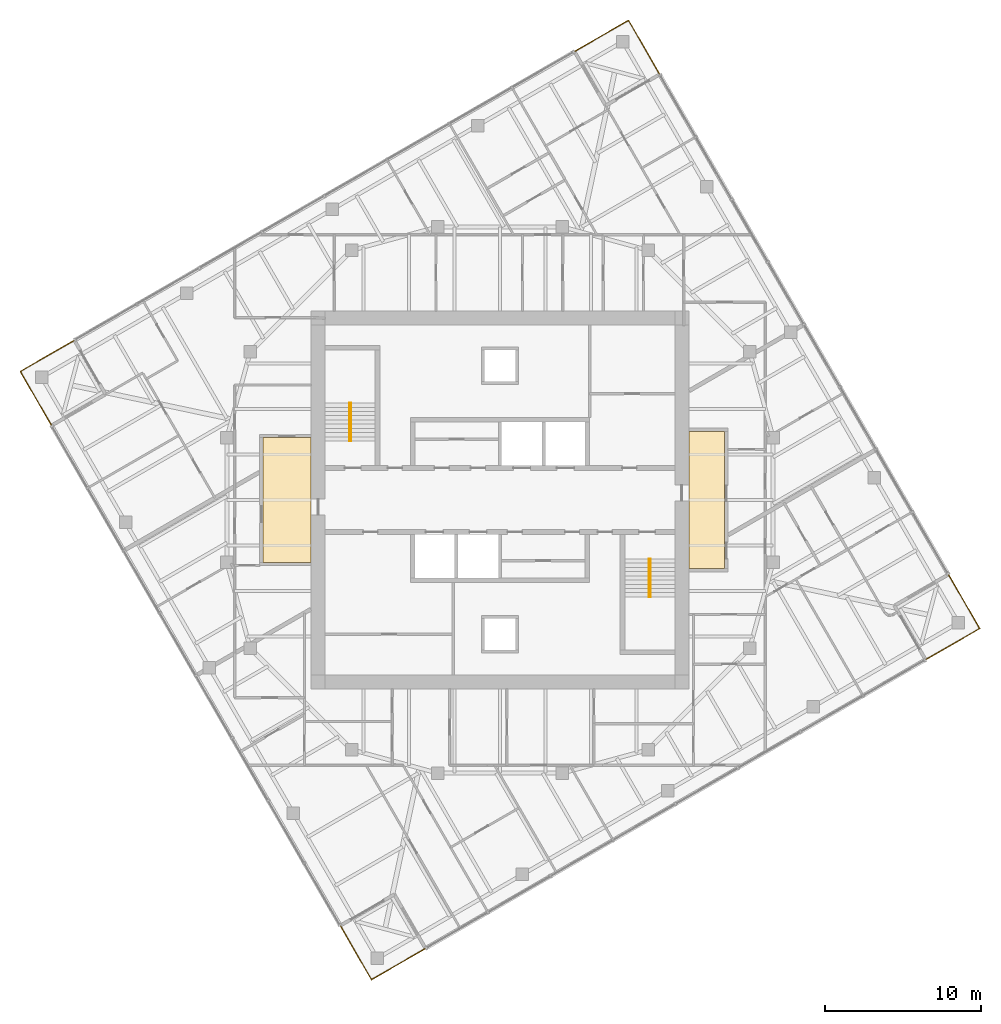
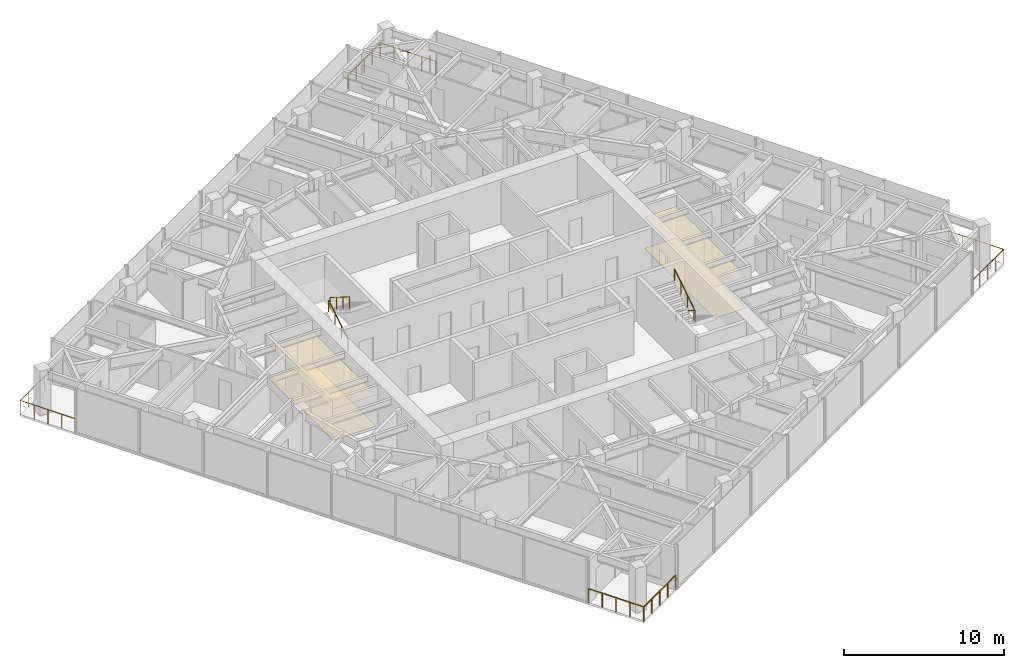
# One storey, part 13 of 13: 8 railings, 4 coverings, 2 elements without a shape of their own.
"""IFC4 building model written with IfcOpenShell, lengths in metres."""

from ifc_helpers import new_model, si_unit, direction, frame, origin, origin_2d, place, context, subcontext, project, spatial, polyline, circle, outline, extrude, material, layer, layer_set, type_object, element, aggregate, save


model = new_model("IFC4")

# Units and contexts
model_context = context("Model", 3, precision=1e-05, world=origin(), true_north=direction((0.0, 1.0)))
body_context = subcontext(model_context, "Body", "Model", "MODEL_VIEW")
ifc_project = project(units=[si_unit("LENGTHUNIT", "METRE"), si_unit("AREAUNIT", "SQUARE_METRE"), si_unit("VOLUMEUNIT", "CUBIC_METRE"), si_unit("PLANEANGLEUNIT", "RADIAN"), si_unit("MASSUNIT", "GRAM", prefix="KILO")], contexts=[model_context])

# Site, building, storey
site_placement = place(None, origin())
site = spatial("IfcSite", under=ifc_project, at=site_placement, CompositionType="ELEMENT")
building_placement = place(site_placement, origin())
building = spatial("IfcBuilding", under=site, at=building_placement, Name="Torsade Residences", CompositionType="ELEMENT")
storey_placement = place(building_placement, frame((0.0, 0.0, 215.0)))
storey = spatial("IfcBuildingStorey", under=building, at=storey_placement, Name="L59", CompositionType="ELEMENT", Elevation=215.0)

# Coverings
ifc_material_1 = material(Name="Nylon carpet tile on underlay", Category="textile")
ifc_layer_1 = layer(ifc_material_1, 0.010009765625)
ifc_layer_set_1 = layer_set([ifc_layer_1], Name="Nylon carpet tile on underlay")
covering_type_1 = type_object("IfcCoveringType", Name="CORRIDOR CARPET TILE 10", PredefinedType="FLOORING", material=ifc_layer_set_1)
covering_1_placement = place(storey_placement, origin())
element("IfcCovering", 1, at=covering_1_placement, inside=storey, type_object=covering_type_1, Name="Corridor carpet L59", PredefinedType="FLOORING", context=body_context, shape_type="SweptSolid", body=[
    extrude(outline(polyline([(54.39990234375, 25.60009765625), (54.39990234375, 34.39990234375), (52.10009765625, 34.39990234375), (52.10009765625, 25.60009765625), (54.39990234375, 25.60009765625)])), origin(), (0.0, 0.0, 1.0), 0.010009765625),
])
covering_2_placement = place(storey_placement, origin())
element("IfcCovering", 2, at=covering_2_placement, inside=storey, type_object=covering_type_1, Name="Corridor carpet west L59", PredefinedType="FLOORING", context=body_context, shape_type="SweptSolid", body=[
    extrude(outline(polyline([(27.89990234375, 26.0), (27.89990234375, 34.0), (24.800048828125, 34.0), (24.800048828125, 26.0), (27.89990234375, 26.0)])), origin(), (0.0, 0.0, 1.0), 0.010009765625),
])
ifc_material_2 = material(Name="Plasterboard on suspended steel grid", Category="steel")
ifc_layer_2 = layer(ifc_material_2, 0.012939453125)
ifc_layer_set_2 = layer_set([ifc_layer_2], Name="Plasterboard on suspended steel grid")
covering_type_2 = type_object("IfcCoveringType", Name="CORRIDOR SUSPENDED CEILING 13", PredefinedType="CEILING", material=ifc_layer_set_2)
covering_3_placement = place(storey_placement, frame((0.0, 0.0, 2.39990234375)))
element("IfcCovering", 3, at=covering_3_placement, inside=storey, type_object=covering_type_2, Name="Corridor ceiling L59", PredefinedType="CEILING", context=body_context, shape_type="SweptSolid", body=[
    extrude(outline(polyline([(54.39990234375, 25.60009765625), (54.39990234375, 34.39990234375), (52.10009765625, 34.39990234375), (52.10009765625, 25.60009765625), (54.39990234375, 25.60009765625)])), origin(), (0.0, 0.0, 1.0), 0.01318359375),
])
covering_4_placement = place(storey_placement, frame((0.0, 0.0, 2.39990234375)))
element("IfcCovering", 4, at=covering_4_placement, inside=storey, type_object=covering_type_2, Name="Corridor ceiling west L59", PredefinedType="CEILING", context=body_context, shape_type="SweptSolid", body=[
    extrude(outline(polyline([(27.89990234375, 26.0), (27.89990234375, 34.0), (24.800048828125, 34.0), (24.800048828125, 26.0), (27.89990234375, 26.0)])), origin(), (0.0, 0.0, 1.0), 0.01318359375),
])

# Stair, railings
ifc_material_3 = material(Name="Precast concrete 40 MPa", Category="concrete")
stair_type = type_object("IfcStairType", Name="HALF-TURN FIRE STAIR 1500x3400", PredefinedType="HALF_TURN_STAIR", material=ifc_material_3)
stair_1_placement = place(storey_placement, origin())
stair_1 = element("IfcStair", 5, at=stair_1_placement, inside=storey, type_object=stair_type, Name="Stair ST1 L59", PredefinedType="HALF_TURN_STAIR")
ifc_material_4 = material(Name="Steel handrail", Category="steel")
railing_type_1 = type_object("IfcRailingType", Name="STAIR HANDRAIL 900", PredefinedType="HANDRAIL", material=ifc_material_4)
railing_1_placement = place(storey_placement, frame((30.35009765625, 33.780029296875, 0.169921875)))
railing_1 = element("IfcRailing", 6, at=railing_1_placement, type_object=railing_type_1, Name="Handrail ST1 flight 1 L59", PredefinedType="HANDRAIL", context=body_context, shape_type="SweptSolid", body=[
    extrude(circle(Radius=0.02392578125, at=origin_2d()), frame((0.0, 0.0, 0.8759765625), z_axis=(0.0, 0.846221481393, 0.532831309544), x_axis=(-1.0, 0.0, 0.0)), (0.0, 0.0, 1.0), 2.87158203125),
    extrude(circle(Radius=0.02099609375, at=origin_2d()), origin(), (0.0, 0.0, 1.0), 0.851806640625),
    extrude(circle(Radius=0.02099609375, at=origin_2d()), frame((0.0, 0.81005859375, 0.510009765625)), (0.0, 0.0, 1.0), 0.851806640625),
    extrude(circle(Radius=0.02099609375, at=origin_2d()), frame((0.0, 1.619873046875, 1.02001953125)), (0.0, 0.0, 1.0), 0.851806640625),
    extrude(circle(Radius=0.02099609375, at=origin_2d()), frame((0.0, 2.429931640625, 1.530029296875)), (0.0, 0.0, 1.0), 0.851806640625),
])
railing_2_placement = place(storey_placement, frame((30.449951171875, 36.2099609375, 1.8701171875)))
railing_2 = element("IfcRailing", 7, at=railing_2_placement, type_object=railing_type_1, Name="Handrail ST1 flight 2 L59", PredefinedType="HANDRAIL", context=body_context, shape_type="SweptSolid", body=[
    extrude(circle(Radius=0.02392578125, at=origin_2d()), frame((0.0, 0.0, 0.8759765625), z_axis=(0.0, -0.846259816676, 0.532770422113), x_axis=(1.0, 0.0, 0.0)), (0.0, 0.0, 1.0), 2.871337890625),
    extrude(circle(Radius=0.02099609375, at=origin_2d()), origin(), (0.0, 0.0, 1.0), 0.851806640625),
    extrude(circle(Radius=0.02099609375, at=origin_2d()), frame((0.0, -0.81005859375, 0.510009765625)), (0.0, 0.0, 1.0), 0.851806640625),
    extrude(circle(Radius=0.02099609375, at=origin_2d()), frame((0.0, -1.619873046875, 1.019775390625)), (0.0, 0.0, 1.0), 0.851806640625),
    extrude(circle(Radius=0.02099609375, at=origin_2d()), frame((0.0, -2.429931640625, 1.52978515625)), (0.0, 0.0, 1.0), 0.851806640625),
])
aggregate(stair_1, [railing_1, railing_2])

stair_2_placement = place(storey_placement, origin())
stair_2 = element("IfcStair", 8, at=stair_2_placement, inside=storey, type_object=stair_type, Name="Stair ST2 L59", PredefinedType="HALF_TURN_STAIR")
railing_3_placement = place(storey_placement, frame((49.64990234375, 26.219970703125, 0.169921875)))
railing_3 = element("IfcRailing", 9, at=railing_3_placement, type_object=railing_type_1, Name="Handrail ST2 flight 1 L59", PredefinedType="HANDRAIL", context=body_context, shape_type="SweptSolid", body=[
    extrude(circle(Radius=0.02392578125, at=origin_2d()), frame((0.0, 0.0, 0.8759765625), z_axis=(0.0, -0.846221481393, 0.532831309544), x_axis=(1.0, 0.0, 0.0)), (0.0, 0.0, 1.0), 2.87158203125),
    extrude(circle(Radius=0.02099609375, at=origin_2d()), origin(), (0.0, 0.0, 1.0), 0.851806640625),
    extrude(circle(Radius=0.02099609375, at=origin_2d()), frame((0.0, -0.81005859375, 0.510009765625)), (0.0, 0.0, 1.0), 0.851806640625),
    extrude(circle(Radius=0.02099609375, at=origin_2d()), frame((0.0, -1.619873046875, 1.02001953125)), (0.0, 0.0, 1.0), 0.851806640625),
    extrude(circle(Radius=0.02099609375, at=origin_2d()), frame((0.0, -2.429931640625, 1.530029296875)), (0.0, 0.0, 1.0), 0.851806640625),
])
railing_4_placement = place(storey_placement, frame((49.550048828125, 23.7900390625, 1.8701171875)))
railing_4 = element("IfcRailing", 10, at=railing_4_placement, type_object=railing_type_1, Name="Handrail ST2 flight 2 L59", PredefinedType="HANDRAIL", context=body_context, shape_type="SweptSolid", body=[
    extrude(circle(Radius=0.02392578125, at=origin_2d()), frame((0.0, 0.0, 0.8759765625), z_axis=(0.0, 0.846259816676, 0.532770422113), x_axis=(-1.0, 0.0, 0.0)), (0.0, 0.0, 1.0), 2.871337890625),
    extrude(circle(Radius=0.02099609375, at=origin_2d()), origin(), (0.0, 0.0, 1.0), 0.851806640625),
    extrude(circle(Radius=0.02099609375, at=origin_2d()), frame((0.0, 0.81005859375, 0.510009765625)), (0.0, 0.0, 1.0), 0.851806640625),
    extrude(circle(Radius=0.02099609375, at=origin_2d()), frame((0.0, 1.619873046875, 1.019775390625)), (0.0, 0.0, 1.0), 0.851806640625),
    extrude(circle(Radius=0.02099609375, at=origin_2d()), frame((0.0, 2.429931640625, 1.52978515625)), (0.0, 0.0, 1.0), 0.851806640625),
])
aggregate(stair_2, [railing_3, railing_4])

# Railings
ifc_material_5 = material(Name="Laminated glass balustrade", Category="glass")
railing_type_2 = type_object("IfcRailingType", Name="TERRACE GLASS BALUSTRADE 1100", PredefinedType="BALUSTRADE", material=ifc_material_5)
railing_5_placement = place(storey_placement, frame((67.271484375, 19.764404296875, 0.0)))
element("IfcRailing", 11, at=railing_5_placement, inside=storey, type_object=railing_type_2, Name="Terrace balustrade SE L59", PredefinedType="BALUSTRADE", context=body_context, shape_type="SweptSolid", body=[
    extrude(circle(Radius=0.02392578125, at=origin_2d()), frame((0.0, 0.0, 1.076171875), z_axis=(0.866026010844, 0.49999894854, 0.0), x_axis=(-0.49999894854, 0.866026010844, 0.0)), (0.0, 0.0, 1.0), 4.0),
    extrude(circle(Radius=0.02392578125, at=origin_2d()), frame((3.464111328125, 2.0, 1.076171875), z_axis=(-0.49999894854, 0.866026010844, 0.0), x_axis=(-0.866026010844, -0.49999894854, 0.0)), (0.0, 0.0, 1.0), 4.0),
    extrude(circle(Radius=0.02099609375, at=origin_2d()), origin(), (0.0, 0.0, 1.0), 1.052001953125),
    extrude(circle(Radius=0.02099609375, at=origin_2d()), frame((0.865966796875, 0.5, 0.0)), (0.0, 0.0, 1.0), 1.052001953125),
    extrude(circle(Radius=0.02099609375, at=origin_2d()), frame((1.73193359375, 1.0, 0.0)), (0.0, 0.0, 1.0), 1.052001953125),
    extrude(circle(Radius=0.02099609375, at=origin_2d()), frame((2.59814453125, 1.5, 0.0)), (0.0, 0.0, 1.0), 1.052001953125),
    extrude(circle(Radius=0.02099609375, at=origin_2d()), frame((3.464111328125, 2.0, 0.0)), (0.0, 0.0, 1.0), 1.052001953125),
    extrude(circle(Radius=0.02099609375, at=origin_2d()), frame((2.964111328125, 2.865966796875, 0.0)), (0.0, 0.0, 1.0), 1.052001953125),
    extrude(circle(Radius=0.02099609375, at=origin_2d()), frame((2.464111328125, 3.73193359375, 0.0)), (0.0, 0.0, 1.0), 1.052001953125),
    extrude(circle(Radius=0.02099609375, at=origin_2d()), frame((1.964111328125, 4.59814453125, 0.0)), (0.0, 0.0, 1.0), 1.052001953125),
    extrude(circle(Radius=0.02099609375, at=origin_2d()), frame((1.464111328125, 5.464111328125, 0.0)), (0.0, 0.0, 1.0), 1.052001953125),
])
railing_6_placement = place(storey_placement, frame((50.235595703125, 57.271484375, 0.0)))
element("IfcRailing", 12, at=railing_6_placement, inside=storey, type_object=railing_type_2, Name="Terrace balustrade NE L59", PredefinedType="BALUSTRADE", context=body_context, shape_type="SweptSolid", body=[
    extrude(circle(Radius=0.02392578125, at=origin_2d()), frame((0.0, 0.0, 1.076171875), z_axis=(-0.49999894854, 0.866026010844, 0.0), x_axis=(-0.866026010844, -0.49999894854, 0.0)), (0.0, 0.0, 1.0), 4.0),
    extrude(circle(Radius=0.02392578125, at=origin_2d()), frame((-2.0, 3.464111328125, 1.076171875), z_axis=(-0.866026010844, -0.49999894854, 0.0), x_axis=(0.49999894854, -0.866026010844, 0.0)), (0.0, 0.0, 1.0), 4.0),
    extrude(circle(Radius=0.02099609375, at=origin_2d()), origin(), (0.0, 0.0, 1.0), 1.052001953125),
    extrude(circle(Radius=0.02099609375, at=origin_2d()), frame((-0.5, 0.865966796875, 0.0)), (0.0, 0.0, 1.0), 1.052001953125),
    extrude(circle(Radius=0.02099609375, at=origin_2d()), frame((-1.0, 1.73193359375, 0.0)), (0.0, 0.0, 1.0), 1.052001953125),
    extrude(circle(Radius=0.02099609375, at=origin_2d()), frame((-1.5, 2.59814453125, 0.0)), (0.0, 0.0, 1.0), 1.052001953125),
    extrude(circle(Radius=0.02099609375, at=origin_2d()), frame((-2.0, 3.464111328125, 0.0)), (0.0, 0.0, 1.0), 1.052001953125),
    extrude(circle(Radius=0.02099609375, at=origin_2d()), frame((-2.865966796875, 2.964111328125, 0.0)), (0.0, 0.0, 1.0), 1.052001953125),
    extrude(circle(Radius=0.02099609375, at=origin_2d()), frame((-3.73193359375, 2.464111328125, 0.0)), (0.0, 0.0, 1.0), 1.052001953125),
    extrude(circle(Radius=0.02099609375, at=origin_2d()), frame((-4.59814453125, 1.964111328125, 0.0)), (0.0, 0.0, 1.0), 1.052001953125),
    extrude(circle(Radius=0.02099609375, at=origin_2d()), frame((-5.464111328125, 1.464111328125, 0.0)), (0.0, 0.0, 1.0), 1.052001953125),
])
railing_7_placement = place(storey_placement, frame((12.728515625, 40.235595703125, 0.0)))
element("IfcRailing", 13, at=railing_7_placement, inside=storey, type_object=railing_type_2, Name="Terrace balustrade NW L59", PredefinedType="BALUSTRADE", context=body_context, shape_type="SweptSolid", body=[
    extrude(circle(Radius=0.02392578125, at=origin_2d()), frame((0.0, 0.0, 1.076171875), z_axis=(-0.866026010844, -0.49999894854, 0.0), x_axis=(0.49999894854, -0.866026010844, 0.0)), (0.0, 0.0, 1.0), 4.0),
    extrude(circle(Radius=0.02392578125, at=origin_2d()), frame((-3.464111328125, -2.0, 1.076171875), z_axis=(0.49999894854, -0.866026010844, 0.0), x_axis=(0.866026010844, 0.49999894854, 0.0)), (0.0, 0.0, 1.0), 4.0),
    extrude(circle(Radius=0.02099609375, at=origin_2d()), origin(), (0.0, 0.0, 1.0), 1.052001953125),
    extrude(circle(Radius=0.02099609375, at=origin_2d()), frame((-0.865966796875, -0.5, 0.0)), (0.0, 0.0, 1.0), 1.052001953125),
    extrude(circle(Radius=0.02099609375, at=origin_2d()), frame((-1.73193359375, -1.0, 0.0)), (0.0, 0.0, 1.0), 1.052001953125),
    extrude(circle(Radius=0.02099609375, at=origin_2d()), frame((-2.59814453125, -1.5, 0.0)), (0.0, 0.0, 1.0), 1.052001953125),
    extrude(circle(Radius=0.02099609375, at=origin_2d()), frame((-3.464111328125, -2.0, 0.0)), (0.0, 0.0, 1.0), 1.052001953125),
    extrude(circle(Radius=0.02099609375, at=origin_2d()), frame((-2.964111328125, -2.865966796875, 0.0)), (0.0, 0.0, 1.0), 1.052001953125),
    extrude(circle(Radius=0.02099609375, at=origin_2d()), frame((-2.464111328125, -3.73193359375, 0.0)), (0.0, 0.0, 1.0), 1.052001953125),
    extrude(circle(Radius=0.02099609375, at=origin_2d()), frame((-1.964111328125, -4.59814453125, 0.0)), (0.0, 0.0, 1.0), 1.052001953125),
    extrude(circle(Radius=0.02099609375, at=origin_2d()), frame((-1.464111328125, -5.464111328125, 0.0)), (0.0, 0.0, 1.0), 1.052001953125),
])
railing_8_placement = place(storey_placement, frame((29.764404296875, 2.728515625, 0.0)))
element("IfcRailing", 14, at=railing_8_placement, inside=storey, type_object=railing_type_2, Name="Terrace balustrade SW L59", PredefinedType="BALUSTRADE", context=body_context, shape_type="SweptSolid", body=[
    extrude(circle(Radius=0.02392578125, at=origin_2d()), frame((0.0, 0.0, 1.076171875), z_axis=(0.49999894854, -0.866026010844, 0.0), x_axis=(0.866026010844, 0.49999894854, 0.0)), (0.0, 0.0, 1.0), 4.0),
    extrude(circle(Radius=0.02392578125, at=origin_2d()), frame((2.0, -3.464111328125, 1.076171875), z_axis=(0.866026010844, 0.49999894854, 0.0), x_axis=(-0.49999894854, 0.866026010844, 0.0)), (0.0, 0.0, 1.0), 4.0),
    extrude(circle(Radius=0.02099609375, at=origin_2d()), origin(), (0.0, 0.0, 1.0), 1.052001953125),
    extrude(circle(Radius=0.02099609375, at=origin_2d()), frame((0.5, -0.865966796875, 0.0)), (0.0, 0.0, 1.0), 1.052001953125),
    extrude(circle(Radius=0.02099609375, at=origin_2d()), frame((1.0, -1.73193359375, 0.0)), (0.0, 0.0, 1.0), 1.052001953125),
    extrude(circle(Radius=0.02099609375, at=origin_2d()), frame((1.5, -2.59814453125, 0.0)), (0.0, 0.0, 1.0), 1.052001953125),
    extrude(circle(Radius=0.02099609375, at=origin_2d()), frame((2.0, -3.464111328125, 0.0)), (0.0, 0.0, 1.0), 1.052001953125),
    extrude(circle(Radius=0.02099609375, at=origin_2d()), frame((2.865966796875, -2.964111328125, 0.0)), (0.0, 0.0, 1.0), 1.052001953125),
    extrude(circle(Radius=0.02099609375, at=origin_2d()), frame((3.73193359375, -2.464111328125, 0.0)), (0.0, 0.0, 1.0), 1.052001953125),
    extrude(circle(Radius=0.02099609375, at=origin_2d()), frame((4.59814453125, -1.964111328125, 0.0)), (0.0, 0.0, 1.0), 1.052001953125),
    extrude(circle(Radius=0.02099609375, at=origin_2d()), frame((5.464111328125, -1.464111328125, 0.0)), (0.0, 0.0, 1.0), 1.052001953125),
])

save(model, "model.ifc")
